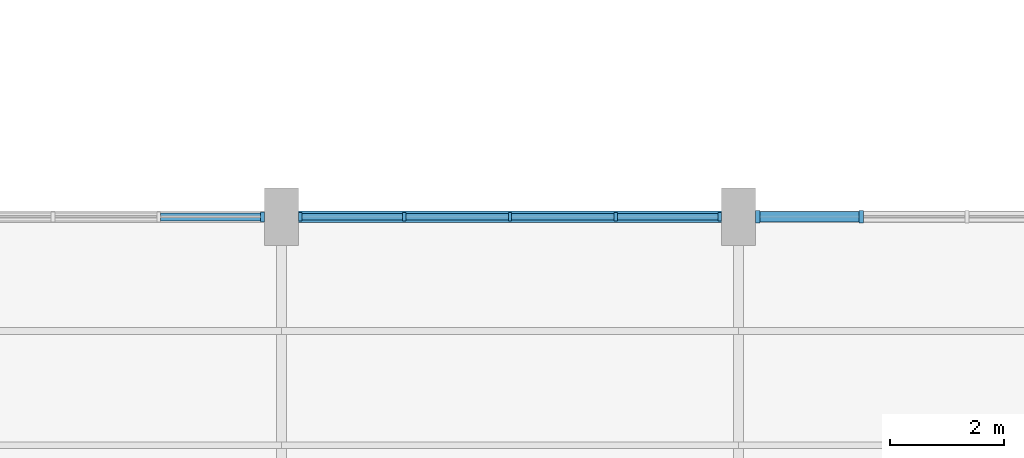
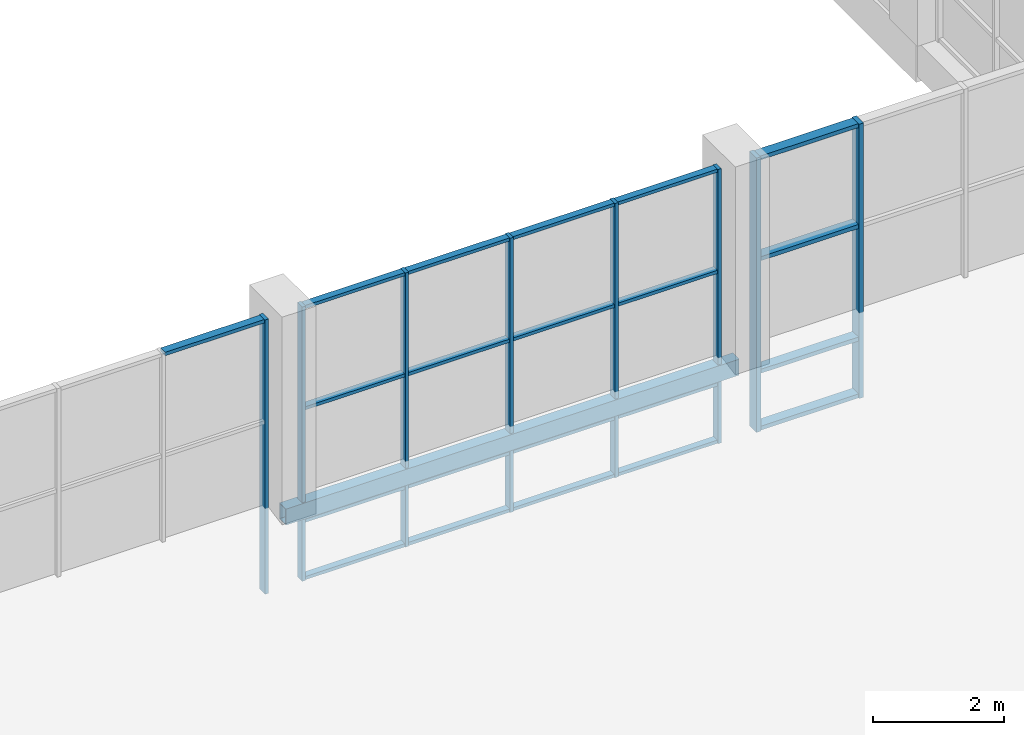
# One storey, part 51 of 122: 29 members, 1 beam, 3 elements without a shape of their own.
"""IFC4 building model written with IfcOpenShell, lengths in metres."""

import ifcopenshell
import ifcopenshell.guid

model = None  # the IFC model being written
_history = None  # IfcOwnerHistory: only IFC2X3 demands one
_inside = {}  # id of a spatial element -> (the spatial element, [elements in it])
_under = {}  # id of a project, library or spatial element -> (it, [spatial elements below it])
_declared = {}  # id of a project -> (the project, [libraries it declares])
_typed = {}  # id of a type object -> (the type object, [elements of that type])
_made_of = {}  # id of a material, layer set ... -> (it, [elements and type objects made of it])


def new_model(schema):
    """Start an empty IFC model of exactly this schema.

    Asked for "IFC4X3", IfcOpenShell would pick the latest addendum, in which some entities
    have other attributes; the version numbers below select the first issue.
    IFC2X3 requires an IfcOwnerHistory on every rooted entity: one is made here for all.
    """
    global model, _history
    if schema == "IFC4X3":
        model = ifcopenshell.file(schema_version=(4, 3, 0, 0))
    else:
        model = ifcopenshell.file(schema=schema)
    _inside.clear()
    _under.clear()
    _declared.clear()
    _typed.clear()
    _made_of.clear()
    _history = None
    if model.schema == "IFC2X3":
        org = make("IfcOrganization", Name="unknown")
        user = make(
            "IfcPersonAndOrganization",
            ThePerson=make("IfcPerson", FamilyName="unknown"),
            TheOrganization=org,
        )
        app = make(
            "IfcApplication",
            ApplicationDeveloper=org,
            Version="unknown",
            ApplicationFullName="unknown",
            ApplicationIdentifier="unknown",
        )
        _history = make(
            "IfcOwnerHistory",
            OwningUser=user,
            OwningApplication=app,
            ChangeAction="ADDED",
            CreationDate=0,
        )
    return model


def make(cls, **values):
    """One entity of the class cls with the attributes given. An attribute that is None is left unset."""
    return model.create_entity(
        cls, **{name: value for name, value in values.items() if value is not None}
    )


def rooted(cls, **values):
    """An entity with a GlobalId (a new one), such as an element, a storey or a relation."""
    return make(cls, GlobalId=ifcopenshell.guid.new(), OwnerHistory=_history, **values)


def si_unit(unit_type, name, prefix=None):
    """IfcSIUnit, for example si_unit("LENGTHUNIT", "METRE", prefix="MILLI")."""
    return make("IfcSIUnit", UnitType=unit_type, Prefix=prefix, Name=name)


def assignment(units):
    """IfcUnitAssignment: the units of a project."""
    return None if units is None else make("IfcUnitAssignment", Units=units)


def point(xyz):
    """IfcCartesianPoint."""
    return None if xyz is None else make("IfcCartesianPoint", Coordinates=xyz)


def direction(xyz):
    """IfcDirection."""
    return None if xyz is None else make("IfcDirection", DirectionRatios=xyz)


def frame(location, z_axis=None, x_axis=None):
    """IfcAxis2Placement3D, a coordinate frame: its origin and axes. An axis left out is left unset."""
    return make(
        "IfcAxis2Placement3D",
        Location=point(location),
        Axis=direction(z_axis),
        RefDirection=direction(x_axis),
    )


def frame_2d(location, x_axis=None):
    """IfcAxis2Placement2D, a coordinate frame in the plane: its origin and x axis."""
    return make(
        "IfcAxis2Placement2D", Location=point(location), RefDirection=direction(x_axis)
    )


def origin():
    """The frame at (0, 0, 0) with its axes left unset."""
    return frame((0.0, 0.0, 0.0))


def origin_2d():
    """The frame at (0, 0) in the plane with its x axis left unset."""
    return frame_2d((0.0, 0.0))


def place(relative_to, where):
    """IfcLocalPlacement: puts the frame where relative to a parent placement (None: the world)."""
    return make(
        "IfcLocalPlacement", PlacementRelTo=relative_to, RelativePlacement=where
    )


def context(
    kind, dimensions, precision=None, world=None, true_north=None, identifier=None
):
    """IfcGeometricRepresentationContext, for example the 3D "Model" context."""
    return make(
        "IfcGeometricRepresentationContext",
        ContextIdentifier=identifier,
        ContextType=kind,
        CoordinateSpaceDimension=dimensions,
        Precision=precision,
        WorldCoordinateSystem=world,
        TrueNorth=true_north,
    )


def subcontext(parent, identifier, kind, view, scale=None):
    """IfcGeometricRepresentationSubContext, for example "Body" below "Model"."""
    return make(
        "IfcGeometricRepresentationSubContext",
        ContextIdentifier=identifier,
        ContextType=kind,
        ParentContext=parent,
        TargetScale=scale,
        TargetView=view,
    )


def project(units=None, contexts=None):
    """IfcProject with its units and contexts."""
    return rooted(
        "IfcProject",
        Name="project",
        RepresentationContexts=contexts,
        UnitsInContext=assignment(units),
    )


def spatial(cls, under=None, at=None, **own):
    """A site, building, storey or space (cls), placed at a placement, below another one or the project."""
    s = rooted(cls, ObjectPlacement=at, **own)
    if under is not None:
        _under.setdefault(under.id(), (under, []))[1].append(s)
    return s


def profile(cls, at=None, kind="AREA", **sizes):
    """A parametric profile (cls). Its sizes go by their IFC names, for example OverallWidth=200.0."""
    return make(cls, ProfileType=kind, Position=at, **sizes)


def rectangle(**sizes):
    """IfcRectangleProfileDef."""
    return profile("IfcRectangleProfileDef", **sizes)


def hollow_rectangle(**sizes):
    """IfcRectangleHollowProfileDef."""
    return profile("IfcRectangleHollowProfileDef", **sizes)


def extrude(swept, where, along, depth):
    """IfcExtrudedAreaSolid: the profile swept, set in the frame where, extruded along a direction by depth."""
    return make(
        "IfcExtrudedAreaSolid",
        SweptArea=swept,
        Position=where,
        ExtrudedDirection=direction(along),
        Depth=depth,
    )


def shape(context_of_items, identifier, shape_type, items):
    """IfcShapeRepresentation: the items that make up one representation, for example the "Body"."""
    return make(
        "IfcShapeRepresentation",
        ContextOfItems=context_of_items,
        RepresentationIdentifier=identifier,
        RepresentationType=shape_type,
        Items=items,
    )


def material(Name=None, Category=None):
    """IfcMaterial."""
    return make("IfcMaterial", Name=Name, Category=Category)


def material_profile(
    of_material, cross_section, Name=None, Category=None, Priority=None
):
    """IfcMaterialProfile: a cross section and its material."""
    return make(
        "IfcMaterialProfile",
        Name=Name,
        Material=of_material,
        Profile=cross_section,
        Priority=Priority,
        Category=Category,
    )


def profile_set(profiles, Name=None, composite=None):
    """IfcMaterialProfileSet."""
    return make(
        "IfcMaterialProfileSet",
        Name=Name,
        MaterialProfiles=profiles,
        CompositeProfile=composite,
    )


def made_of(thing, what):
    """Note that an element or type object is made of a material, layer set ...; save() writes the relation."""
    if what is not None:
        _made_of.setdefault(what.id(), (what, []))[1].append(thing)
    return thing


def type_object(cls, material=None, **own):
    """A type object (cls), such as IfcWallType, which elements share."""
    return made_of(rooted(cls, **own), material)


def element(
    cls,
    number,
    at=None,
    inside=None,
    cuts=None,
    type_object=None,
    material=None,
    context=None,
    identifier="Body",
    shape_type=None,
    held_by="IfcProductDefinitionShape",
    body=None,
    shapes=None,
    **own,
):
    """One element of the class cls, such as IfcWall. Its Tag is "e" and its number.

    at: its placement. inside: the storey or other place that contains it. cuts: it is an
    opening in that element (IfcRelVoidsElement). A single representation is given by context,
    identifier, shape_type and body (its items); several are given by shapes. held_by: the class
    of the entity that holds the representations. save() writes the other relations.
    """
    e = rooted(cls, Tag="e%d" % number, ObjectPlacement=at, **own)
    if body is not None:
        shapes = [shape(context, identifier, shape_type, body)]
    if shapes is not None:
        e.Representation = make(held_by, Representations=shapes)
    if inside is not None:
        _inside.setdefault(inside.id(), (inside, []))[1].append(e)
    if cuts is not None:
        rooted(
            "IfcRelVoidsElement", RelatingBuildingElement=cuts, RelatedOpeningElement=e
        )
    if type_object is not None:
        _typed.setdefault(type_object.id(), (type_object, []))[1].append(e)
    return made_of(e, material)


def aggregate(whole, parts):
    """IfcRelAggregates: a whole, such as a stair, and the parts it consists of."""
    return rooted("IfcRelAggregates", RelatingObject=whole, RelatedObjects=parts)


def save(model, path):
    """Write the relations noted so far, then the file.

    IfcRelAggregates (storeys below a building ...), IfcRelContainedInSpatialStructure (elements
    in a storey), IfcRelDefinesByType, IfcRelAssociatesMaterial and IfcRelDeclares: one each for
    every whole, place, type object, material and project.
    """
    for whole, parts in _under.values():
        aggregate(whole, parts)
    for where, things in _inside.values():
        rooted(
            "IfcRelContainedInSpatialStructure",
            RelatedElements=things,
            RelatingStructure=where,
        )
    for kind, things in _typed.values():
        rooted("IfcRelDefinesByType", RelatedObjects=things, RelatingType=kind)
    for what, things in _made_of.values():
        rooted("IfcRelAssociatesMaterial", RelatedObjects=things, RelatingMaterial=what)
    for by, libraries in _declared.values():
        rooted("IfcRelDeclares", RelatingContext=by, RelatedDefinitions=libraries)
    model.write(path)


model = new_model("IFC4")

# Units and contexts
model_context = context("Model", 3, precision=1e-05, world=origin(), true_north=direction((0.0, 1.0)))
body_context = subcontext(model_context, "Body", "Model", "MODEL_VIEW")
ifc_project = project(units=[si_unit("LENGTHUNIT", "METRE"), si_unit("AREAUNIT", "SQUARE_METRE"), si_unit("VOLUMEUNIT", "CUBIC_METRE"), si_unit("PLANEANGLEUNIT", "RADIAN"), si_unit("MASSUNIT", "GRAM", prefix="KILO")], contexts=[model_context])

# Site, building, storey
site_placement = place(None, origin())
site = spatial("IfcSite", under=ifc_project, at=site_placement, CompositionType="ELEMENT")
building_placement = place(site_placement, origin())
building = spatial("IfcBuilding", under=site, at=building_placement, Name="Tenunan Teduh Sports Hall", CompositionType="ELEMENT")
storey_placement = place(building_placement, frame((0.0, 0.0, 5.39990234375)))
storey = spatial("IfcBuildingStorey", under=building, at=storey_placement, Name="L01", CompositionType="ELEMENT", Elevation=5.39990234375)

# Curtain wall, members
ifc_material_1 = material(Name="Anodised aluminium", Category="aluminium")
curtain_wall_type = type_object("IfcCurtainWallType", Name="CW-UNIT-1", PredefinedType="NOTDEFINED", material=ifc_material_1)
curtain_wall_1_placement = place(storey_placement, origin())
curtain_wall_1 = element("IfcCurtainWall", 1, at=curtain_wall_1_placement, inside=storey, type_object=curtain_wall_type, Name="CW-CWM-150-L01-011", PredefinedType="NOTDEFINED")
ifc_material_2 = material(Name="Anodised aluminium", Category="aluminium")
ifc_material_profile_1 = material_profile(ifc_material_2, rectangle(XDim=0.06005859375, YDim=0.14990234375, at=origin_2d()), Name="CWM 60x150")
ifc_profile_set_1 = profile_set([ifc_material_profile_1], Name="Anodised aluminium")
member_type_1 = type_object("IfcMemberType", Name="CWM-150", PredefinedType="MULLION", material=ifc_profile_set_1)
member_1_placement = place(storey_placement, frame((154.330078125, 14.0, 0.0), z_axis=(0.0, 0.0, 1.0), x_axis=(1.0, 0.0, 0.0)))
member_1 = element("IfcMember", 2, at=member_1_placement, type_object=member_type_1, Name="CW-01 mullion 1", PredefinedType="MULLION", context=body_context, shape_type="SweptSolid", body=[
    extrude(rectangle(XDim=0.06005859375, YDim=0.14990234375, at=origin_2d()), origin(), (0.0, 0.0, 1.0), 5.1201171875),
])
member_2_placement = place(storey_placement, frame((156.14990234375, 14.0, 0.0), z_axis=(0.0, 0.0, 1.0), x_axis=(1.0, 0.0, 0.0)))
member_2 = element("IfcMember", 3, at=member_2_placement, type_object=member_type_1, Name="CW-01 mullion 2", PredefinedType="MULLION", context=body_context, shape_type="SweptSolid", body=[
    extrude(rectangle(XDim=0.06005859375, YDim=0.14990234375, at=origin_2d()), origin(), (0.0, 0.0, 1.0), 5.1201171875),
])
member_3_placement = place(storey_placement, frame((158.0, 14.0, 0.0), z_axis=(0.0, 0.0, 1.0), x_axis=(1.0, 0.0, 0.0)))
member_3 = element("IfcMember", 4, at=member_3_placement, type_object=member_type_1, Name="CW-01 mullion 3", PredefinedType="MULLION", context=body_context, shape_type="SweptSolid", body=[
    extrude(rectangle(XDim=0.06005859375, YDim=0.14990234375, at=origin_2d()), origin(), (0.0, 0.0, 1.0), 5.1201171875),
])
member_4_placement = place(storey_placement, frame((159.85009765625, 14.0, 0.0), z_axis=(0.0, 0.0, 1.0), x_axis=(1.0, 0.0, 0.0)))
member_4 = element("IfcMember", 5, at=member_4_placement, type_object=member_type_1, Name="CW-01 mullion 4", PredefinedType="MULLION", context=body_context, shape_type="SweptSolid", body=[
    extrude(rectangle(XDim=0.06005859375, YDim=0.14990234375, at=origin_2d()), origin(), (0.0, 0.0, 1.0), 5.1201171875),
])
member_5_placement = place(storey_placement, frame((161.669921875, 14.0, 0.0), z_axis=(0.0, 0.0, 1.0), x_axis=(1.0, 0.0, 0.0)))
member_5 = element("IfcMember", 6, at=member_5_placement, type_object=member_type_1, Name="CW-01 mullion 5", PredefinedType="MULLION", context=body_context, shape_type="SweptSolid", body=[
    extrude(rectangle(XDim=0.06005859375, YDim=0.14990234375, at=origin_2d()), origin(), (0.0, 0.0, 1.0), 5.1201171875),
])

# Curtain wall, member
curtain_wall_2_placement = place(storey_placement, origin())
curtain_wall_2 = element("IfcCurtainWall", 7, at=curtain_wall_2_placement, inside=storey, type_object=curtain_wall_type, Name="CW-CWM-175-L01-010", PredefinedType="NOTDEFINED")
ifc_material_3 = material(Name="Anodised aluminium", Category="aluminium")
ifc_material_profile_2 = material_profile(ifc_material_3, rectangle(XDim=0.06494140625, YDim=0.175048828125, at=origin_2d()), Name="CWM 65x175")
ifc_profile_set_2 = profile_set([ifc_material_profile_2], Name="Anodised aluminium")
member_type_2 = type_object("IfcMemberType", Name="CWM-175", PredefinedType="MULLION", material=ifc_profile_set_2)
member_6_placement = place(storey_placement, frame((153.66748046875, 14.0, 0.0), z_axis=(0.0, 0.0, 1.0), x_axis=(1.0, 0.0, 0.0)))
member_6 = element("IfcMember", 8, at=member_6_placement, type_object=member_type_2, Name="CW-01 mullion 5", PredefinedType="MULLION", context=body_context, shape_type="SweptSolid", body=[
    extrude(rectangle(XDim=0.06494140625, YDim=0.175048828125, at=origin_2d()), origin(), (0.0, 0.0, 1.0), 5.1201171875),
])

# Curtain wall, members
curtain_wall_3_placement = place(storey_placement, origin())
curtain_wall_3 = element("IfcCurtainWall", 9, at=curtain_wall_3_placement, inside=storey, type_object=curtain_wall_type, Name="CW-CWM-220-L01-013", PredefinedType="NOTDEFINED")
ifc_material_4 = material(Name="Anodised aluminium", Category="aluminium")
ifc_material_profile_3 = material_profile(ifc_material_4, rectangle(XDim=0.074951171875, YDim=0.219970703125, at=origin_2d()), Name="CWM 75x220")
ifc_profile_set_3 = profile_set([ifc_material_profile_3], Name="Anodised aluminium")
member_type_3 = type_object("IfcMemberType", Name="CWM-220", PredefinedType="MULLION", material=ifc_profile_set_3)
member_7_placement = place(storey_placement, frame((162.33740234375, 14.0, 0.0), z_axis=(0.0, 0.0, 1.0), x_axis=(1.0, 0.0, 0.0)))
member_7 = element("IfcMember", 10, at=member_7_placement, type_object=member_type_3, Name="CW-01 mullion 1", PredefinedType="MULLION", context=body_context, shape_type="SweptSolid", body=[
    extrude(rectangle(XDim=0.074951171875, YDim=0.219970703125, at=origin_2d()), origin(), (0.0, 0.0, 1.0), 5.1201171875),
])
member_8_placement = place(storey_placement, frame((164.14990234375, 14.0, 0.0), z_axis=(0.0, 0.0, 1.0), x_axis=(1.0, 0.0, 0.0)))
member_8 = element("IfcMember", 11, at=member_8_placement, type_object=member_type_3, Name="CW-01 mullion 2", PredefinedType="MULLION", context=body_context, shape_type="SweptSolid", body=[
    extrude(rectangle(XDim=0.074951171875, YDim=0.219970703125, at=origin_2d()), origin(), (0.0, 0.0, 1.0), 5.1201171875),
])

# Member
ifc_material_5 = material(Name="Anodised aluminium", Category="aluminium")
ifc_material_profile_4 = material_profile(ifc_material_5, rectangle(XDim=0.06005859375, YDim=0.1201171875, at=origin_2d()), Name="CWT 60x120")
ifc_profile_set_4 = profile_set([ifc_material_profile_4], Name="Anodised aluminium")
member_type_4 = type_object("IfcMemberType", Name="CWT-125", PredefinedType="USERDEFINED", material=ifc_profile_set_4)
member_9_placement = place(storey_placement, frame((154.360107421875, 14.0, 0.030029296875), z_axis=(1.0, 0.0, 0.0), x_axis=(0.0, 0.0, 1.0)))
member_9 = element("IfcMember", 12, at=member_9_placement, type_object=member_type_4, Name="CW-01 transom 1.1", ObjectType="TRANSOM", PredefinedType="USERDEFINED", context=body_context, shape_type="SweptSolid", body=[
    extrude(rectangle(XDim=0.06005859375, YDim=0.1201171875, at=origin_2d()), origin(), (0.0, 0.0, 1.0), 1.760009765625),
])

member_10_placement = place(storey_placement, frame((154.360107421875, 14.0, 1.10009765625), z_axis=(1.0, 0.0, 0.0), x_axis=(0.0, 0.0, 1.0)))
member_10 = element("IfcMember", 13, at=member_10_placement, type_object=member_type_4, Name="CW-01 transom 1.2", ObjectType="TRANSOM", PredefinedType="USERDEFINED", context=body_context, shape_type="SweptSolid", body=[
    extrude(rectangle(XDim=0.06005859375, YDim=0.1201171875, at=origin_2d()), origin(), (0.0, 0.0, 1.0), 1.760009765625),
])

member_11_placement = place(storey_placement, frame((154.360107421875, 14.0, 3.2001953125), z_axis=(1.0, 0.0, 0.0), x_axis=(0.0, 0.0, 1.0)))
member_11 = element("IfcMember", 14, at=member_11_placement, type_object=member_type_4, Name="CW-01 transom 1.3", ObjectType="TRANSOM", PredefinedType="USERDEFINED", context=body_context, shape_type="SweptSolid", body=[
    extrude(rectangle(XDim=0.06005859375, YDim=0.1201171875, at=origin_2d()), origin(), (0.0, 0.0, 1.0), 1.760009765625),
])

member_12_placement = place(storey_placement, frame((154.360107421875, 14.0, 5.090087890625), z_axis=(1.0, 0.0, 0.0), x_axis=(0.0, 0.0, 1.0)))
member_12 = element("IfcMember", 15, at=member_12_placement, type_object=member_type_4, Name="CW-01 transom 1.4", ObjectType="TRANSOM", PredefinedType="USERDEFINED", context=body_context, shape_type="SweptSolid", body=[
    extrude(rectangle(XDim=0.06005859375, YDim=0.1201171875, at=origin_2d()), origin(), (0.0, 0.0, 1.0), 1.760009765625),
])

member_13_placement = place(storey_placement, frame((156.179931640625, 14.0, 0.030029296875), z_axis=(1.0, 0.0, 0.0), x_axis=(0.0, 0.0, 1.0)))
member_13 = element("IfcMember", 16, at=member_13_placement, type_object=member_type_4, Name="CW-01 transom 2.1", ObjectType="TRANSOM", PredefinedType="USERDEFINED", context=body_context, shape_type="SweptSolid", body=[
    extrude(rectangle(XDim=0.06005859375, YDim=0.1201171875, at=origin_2d()), origin(), (0.0, 0.0, 1.0), 1.7900390625),
])

member_14_placement = place(storey_placement, frame((156.179931640625, 14.0, 1.10009765625), z_axis=(1.0, 0.0, 0.0), x_axis=(0.0, 0.0, 1.0)))
member_14 = element("IfcMember", 17, at=member_14_placement, type_object=member_type_4, Name="CW-01 transom 2.2", ObjectType="TRANSOM", PredefinedType="USERDEFINED", context=body_context, shape_type="SweptSolid", body=[
    extrude(rectangle(XDim=0.06005859375, YDim=0.1201171875, at=origin_2d()), origin(), (0.0, 0.0, 1.0), 1.7900390625),
])

member_15_placement = place(storey_placement, frame((156.179931640625, 14.0, 3.2001953125), z_axis=(1.0, 0.0, 0.0), x_axis=(0.0, 0.0, 1.0)))
member_15 = element("IfcMember", 18, at=member_15_placement, type_object=member_type_4, Name="CW-01 transom 2.3", ObjectType="TRANSOM", PredefinedType="USERDEFINED", context=body_context, shape_type="SweptSolid", body=[
    extrude(rectangle(XDim=0.06005859375, YDim=0.1201171875, at=origin_2d()), origin(), (0.0, 0.0, 1.0), 1.7900390625),
])

member_16_placement = place(storey_placement, frame((156.179931640625, 14.0, 5.090087890625), z_axis=(1.0, 0.0, 0.0), x_axis=(0.0, 0.0, 1.0)))
member_16 = element("IfcMember", 19, at=member_16_placement, type_object=member_type_4, Name="CW-01 transom 2.4", ObjectType="TRANSOM", PredefinedType="USERDEFINED", context=body_context, shape_type="SweptSolid", body=[
    extrude(rectangle(XDim=0.06005859375, YDim=0.1201171875, at=origin_2d()), origin(), (0.0, 0.0, 1.0), 1.7900390625),
])

member_17_placement = place(storey_placement, frame((158.030029296875, 14.0, 0.030029296875), z_axis=(1.0, 0.0, 0.0), x_axis=(0.0, 0.0, 1.0)))
member_17 = element("IfcMember", 20, at=member_17_placement, type_object=member_type_4, Name="CW-01 transom 3.1", ObjectType="TRANSOM", PredefinedType="USERDEFINED", context=body_context, shape_type="SweptSolid", body=[
    extrude(rectangle(XDim=0.06005859375, YDim=0.1201171875, at=origin_2d()), origin(), (0.0, 0.0, 1.0), 1.7900390625),
])

member_18_placement = place(storey_placement, frame((158.030029296875, 14.0, 1.10009765625), z_axis=(1.0, 0.0, 0.0), x_axis=(0.0, 0.0, 1.0)))
member_18 = element("IfcMember", 21, at=member_18_placement, type_object=member_type_4, Name="CW-01 transom 3.2", ObjectType="TRANSOM", PredefinedType="USERDEFINED", context=body_context, shape_type="SweptSolid", body=[
    extrude(rectangle(XDim=0.06005859375, YDim=0.1201171875, at=origin_2d()), origin(), (0.0, 0.0, 1.0), 1.7900390625),
])

member_19_placement = place(storey_placement, frame((158.030029296875, 14.0, 3.2001953125), z_axis=(1.0, 0.0, 0.0), x_axis=(0.0, 0.0, 1.0)))
member_19 = element("IfcMember", 22, at=member_19_placement, type_object=member_type_4, Name="CW-01 transom 3.3", ObjectType="TRANSOM", PredefinedType="USERDEFINED", context=body_context, shape_type="SweptSolid", body=[
    extrude(rectangle(XDim=0.06005859375, YDim=0.1201171875, at=origin_2d()), origin(), (0.0, 0.0, 1.0), 1.7900390625),
])

member_20_placement = place(storey_placement, frame((158.030029296875, 14.0, 5.090087890625), z_axis=(1.0, 0.0, 0.0), x_axis=(0.0, 0.0, 1.0)))
member_20 = element("IfcMember", 23, at=member_20_placement, type_object=member_type_4, Name="CW-01 transom 3.4", ObjectType="TRANSOM", PredefinedType="USERDEFINED", context=body_context, shape_type="SweptSolid", body=[
    extrude(rectangle(XDim=0.06005859375, YDim=0.1201171875, at=origin_2d()), origin(), (0.0, 0.0, 1.0), 1.7900390625),
])

member_21_placement = place(storey_placement, frame((159.8798828125, 14.0, 0.030029296875), z_axis=(1.0, 0.0, 0.0), x_axis=(0.0, 0.0, 1.0)))
member_21 = element("IfcMember", 24, at=member_21_placement, type_object=member_type_4, Name="CW-01 transom 4.1", ObjectType="TRANSOM", PredefinedType="USERDEFINED", context=body_context, shape_type="SweptSolid", body=[
    extrude(rectangle(XDim=0.06005859375, YDim=0.1201171875, at=origin_2d()), origin(), (0.0, 0.0, 1.0), 1.760009765625),
])

member_22_placement = place(storey_placement, frame((159.8798828125, 14.0, 1.10009765625), z_axis=(1.0, 0.0, 0.0), x_axis=(0.0, 0.0, 1.0)))
member_22 = element("IfcMember", 25, at=member_22_placement, type_object=member_type_4, Name="CW-01 transom 4.2", ObjectType="TRANSOM", PredefinedType="USERDEFINED", context=body_context, shape_type="SweptSolid", body=[
    extrude(rectangle(XDim=0.06005859375, YDim=0.1201171875, at=origin_2d()), origin(), (0.0, 0.0, 1.0), 1.760009765625),
])

member_23_placement = place(storey_placement, frame((159.8798828125, 14.0, 3.2001953125), z_axis=(1.0, 0.0, 0.0), x_axis=(0.0, 0.0, 1.0)))
member_23 = element("IfcMember", 26, at=member_23_placement, type_object=member_type_4, Name="CW-01 transom 4.3", ObjectType="TRANSOM", PredefinedType="USERDEFINED", context=body_context, shape_type="SweptSolid", body=[
    extrude(rectangle(XDim=0.06005859375, YDim=0.1201171875, at=origin_2d()), origin(), (0.0, 0.0, 1.0), 1.760009765625),
])

member_24_placement = place(storey_placement, frame((159.8798828125, 14.0, 5.090087890625), z_axis=(1.0, 0.0, 0.0), x_axis=(0.0, 0.0, 1.0)))
member_24 = element("IfcMember", 27, at=member_24_placement, type_object=member_type_4, Name="CW-01 transom 4.4", ObjectType="TRANSOM", PredefinedType="USERDEFINED", context=body_context, shape_type="SweptSolid", body=[
    extrude(rectangle(XDim=0.06005859375, YDim=0.1201171875, at=origin_2d()), origin(), (0.0, 0.0, 1.0), 1.760009765625),
])

aggregate(curtain_wall_1, [member_1, member_2, member_3, member_4, member_5, member_9, member_10, member_11, member_12, member_13, member_14, member_15, member_16, member_17, member_18, member_19, member_20, member_21, member_22, member_23, member_24])

ifc_material_6 = material(Name="Anodised aluminium", Category="aluminium")
ifc_material_profile_5 = material_profile(ifc_material_6, rectangle(XDim=0.06494140625, YDim=0.139892578125, at=origin_2d()), Name="CWT 65x140")
ifc_profile_set_5 = profile_set([ifc_material_profile_5], Name="Anodised aluminium")
member_type_5 = type_object("IfcMemberType", Name="CWT-150", PredefinedType="USERDEFINED", material=ifc_profile_set_5)
member_25_placement = place(storey_placement, frame((151.882568359375, 14.0, 5.087646484375), z_axis=(1.0, 0.0, 0.0), x_axis=(0.0, 0.0, 1.0)))
member_25 = element("IfcMember", 28, at=member_25_placement, type_object=member_type_5, Name="CW-01 transom 4.4", ObjectType="TRANSOM", PredefinedType="USERDEFINED", context=body_context, shape_type="SweptSolid", body=[
    extrude(rectangle(XDim=0.06494140625, YDim=0.139892578125, at=origin_2d()), origin(), (0.0, 0.0, 1.0), 1.75244140625),
])

aggregate(curtain_wall_2, [member_6, member_25])

ifc_material_7 = material(Name="Anodised aluminium", Category="aluminium")
ifc_material_profile_6 = material_profile(ifc_material_7, rectangle(XDim=0.074951171875, YDim=0.179931640625, at=origin_2d()), Name="CWT 75x180")
ifc_profile_set_6 = profile_set([ifc_material_profile_6], Name="Anodised aluminium")
member_type_6 = type_object("IfcMemberType", Name="CWT-180", PredefinedType="USERDEFINED", material=ifc_profile_set_6)
member_26_placement = place(storey_placement, frame((162.375, 14.0, 0.03759765625), z_axis=(1.0, 0.0, 0.0), x_axis=(0.0, 0.0, 1.0)))
member_26 = element("IfcMember", 29, at=member_26_placement, type_object=member_type_6, Name="CW-01 transom 1.1", ObjectType="TRANSOM", PredefinedType="USERDEFINED", context=body_context, shape_type="SweptSolid", body=[
    extrude(rectangle(XDim=0.074951171875, YDim=0.179931640625, at=origin_2d()), origin(), (0.0, 0.0, 1.0), 1.737548828125),
])

member_27_placement = place(storey_placement, frame((162.375, 14.0, 1.10009765625), z_axis=(1.0, 0.0, 0.0), x_axis=(0.0, 0.0, 1.0)))
member_27 = element("IfcMember", 30, at=member_27_placement, type_object=member_type_6, Name="CW-01 transom 1.2", ObjectType="TRANSOM", PredefinedType="USERDEFINED", context=body_context, shape_type="SweptSolid", body=[
    extrude(rectangle(XDim=0.074951171875, YDim=0.179931640625, at=origin_2d()), origin(), (0.0, 0.0, 1.0), 1.737548828125),
])

member_28_placement = place(storey_placement, frame((162.375, 14.0, 3.2001953125), z_axis=(1.0, 0.0, 0.0), x_axis=(0.0, 0.0, 1.0)))
member_28 = element("IfcMember", 31, at=member_28_placement, type_object=member_type_6, Name="CW-01 transom 1.3", ObjectType="TRANSOM", PredefinedType="USERDEFINED", context=body_context, shape_type="SweptSolid", body=[
    extrude(rectangle(XDim=0.074951171875, YDim=0.179931640625, at=origin_2d()), origin(), (0.0, 0.0, 1.0), 1.737548828125),
])

member_29_placement = place(storey_placement, frame((162.375, 14.0, 5.08251953125), z_axis=(1.0, 0.0, 0.0), x_axis=(0.0, 0.0, 1.0)))
member_29 = element("IfcMember", 32, at=member_29_placement, type_object=member_type_6, Name="CW-01 transom 1.4", ObjectType="TRANSOM", PredefinedType="USERDEFINED", context=body_context, shape_type="SweptSolid", body=[
    extrude(rectangle(XDim=0.074951171875, YDim=0.179931640625, at=origin_2d()), origin(), (0.0, 0.0, 1.0), 1.737548828125),
])

aggregate(curtain_wall_3, [member_7, member_8, member_26, member_27, member_28, member_29])

# Beam
ifc_material_8 = material(Name="Steel S355", Category="steel")
ifc_material_profile_7 = material_profile(ifc_material_8, hollow_rectangle(XDim=0.199951171875, YDim=0.300048828125, WallThickness=0.010009765625, at=origin_2d()), Name="RHS 300x200x10.0")
ifc_profile_set_7 = profile_set([ifc_material_profile_7], Name="Steel S355")
beam_type = type_object("IfcBeamType", Name="RBM-RHS300", PredefinedType="BEAM", material=ifc_profile_set_7)
beam_placement = place(storey_placement, frame((154.0, 14.0, 1.320068359375), z_axis=(1.0, 0.0, 0.0), x_axis=(0.0, 1.0, 0.0)))
element("IfcBeam", 33, at=beam_placement, inside=storey, type_object=beam_type, Name="Perimeter Ring Beam BM-RB-03-L01-0569", PredefinedType="BEAM", context=body_context, shape_type="SweptSolid", body=[
    extrude(hollow_rectangle(XDim=0.199951171875, YDim=0.300048828125, WallThickness=0.010009765625, at=origin_2d()), origin(), (0.0, 0.0, 1.0), 8.0),
])

save(model, "model.ifc")
